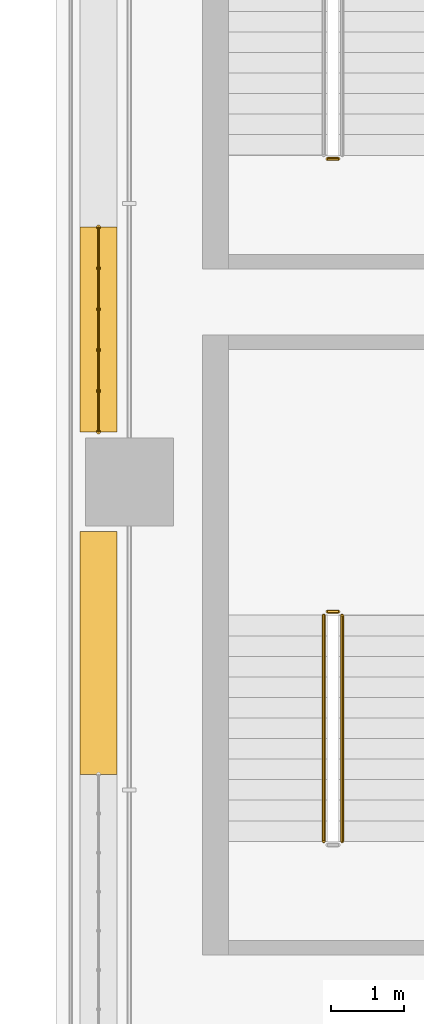
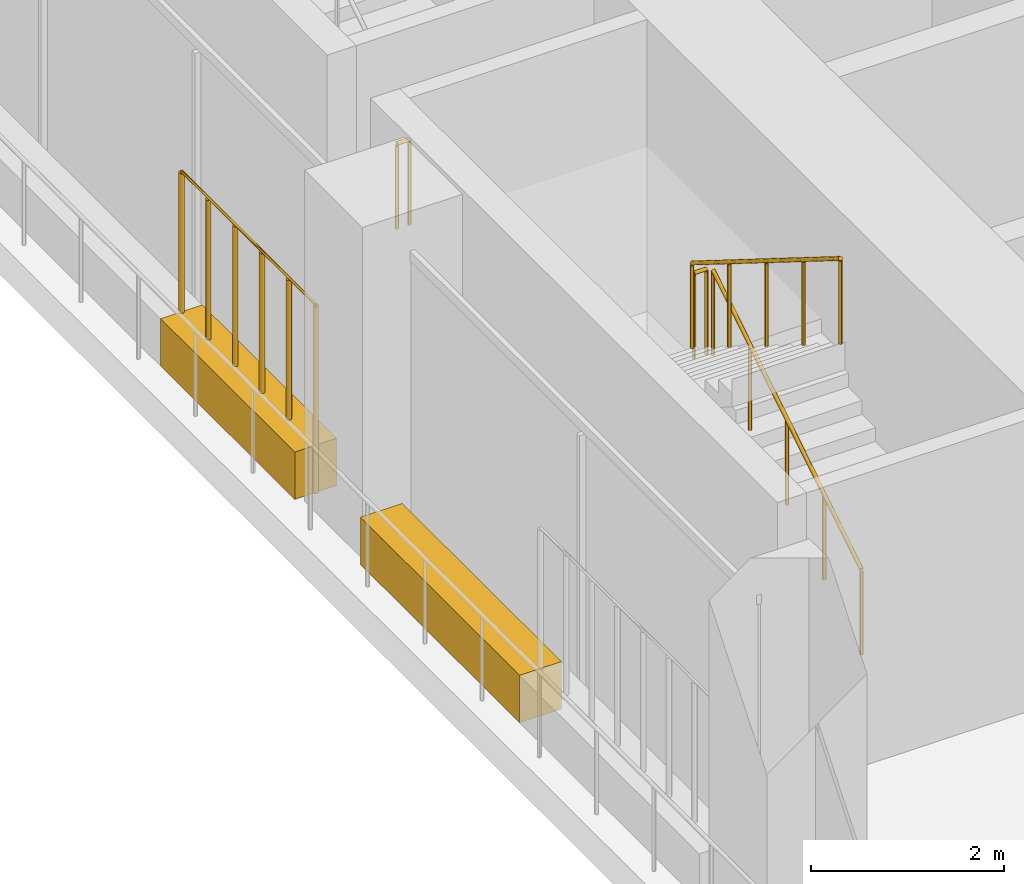
# One storey, part 24 of 28: 5 railings, 2 coverings.
"""IFC4 building model written with IfcOpenShell, lengths in metres."""

from ifc_helpers import new_model, si_unit, direction, frame, origin, origin_2d, place, context, subcontext, project, spatial, rectangle, circle, extrude, material, material_profile, profile_set, type_object, element, save


model = new_model("IFC4")

# Units and contexts
model_context = context("Model", 3, precision=1e-05, world=origin(), true_north=direction((0.0, 1.0)))
body_context = subcontext(model_context, "Body", "Model", "MODEL_VIEW")
ifc_project = project(units=[si_unit("LENGTHUNIT", "METRE"), si_unit("AREAUNIT", "SQUARE_METRE"), si_unit("VOLUMEUNIT", "CUBIC_METRE"), si_unit("PLANEANGLEUNIT", "RADIAN"), si_unit("MASSUNIT", "GRAM", prefix="KILO")], contexts=[model_context])

# Site, building, storey
site_placement = place(None, origin())
site = spatial("IfcSite", under=ifc_project, at=site_placement, CompositionType="ELEMENT")
building_placement = place(site_placement, origin())
building = spatial("IfcBuilding", under=site, at=building_placement, Name="Kawkab Arch Medical Tower", CompositionType="ELEMENT")
storey_placement = place(building_placement, frame((0.0, 0.0, 89.60009765625)))
storey = spatial("IfcBuildingStorey", under=building, at=storey_placement, Name="L20", CompositionType="ELEMENT", Elevation=89.60009765625)

# Coverings
ifc_material_1 = material(Name="Planting soil in a precast trough", Category="concrete")
ifc_material_profile = material_profile(ifc_material_1, rectangle(XDim=0.5, YDim=0.60009765625, at=origin_2d()), Name="Trough 500x600")
ifc_profile_set = profile_set([ifc_material_profile], Name="Planting soil in a precast trough")
covering_type = type_object("IfcCoveringType", Name="Planter trough 500 x 600", PredefinedType="USERDEFINED", material=ifc_profile_set)
covering_1_placement = place(storey_placement, frame((-0.419921875, -20.787109375, 0.2998046875), z_axis=(0.0, 1.0, 0.0), x_axis=(-1.0, 0.0, 0.0)))
element("IfcCovering", 1, at=covering_1_placement, inside=storey, type_object=covering_type, Name="Planter L20.LOG-01-01.14", ObjectType="PLANTER", PredefinedType="USERDEFINED", context=body_context, shape_type="SweptSolid", body=[
    extrude(rectangle(XDim=0.5, YDim=0.60009765625, at=origin_2d()), origin(), (0.0, 0.0, 1.0), 3.30712890625),
])
covering_2_placement = place(storey_placement, frame((-0.419921875, -16.1201171875, 0.2998046875), z_axis=(0.0, 1.0, 0.0), x_axis=(-1.0, 0.0, 0.0)))
element("IfcCovering", 2, at=covering_2_placement, inside=storey, type_object=covering_type, Name="Planter L20.LOG-01-01.15", ObjectType="PLANTER", PredefinedType="USERDEFINED", context=body_context, shape_type="SweptSolid", body=[
    extrude(rectangle(XDim=0.5, YDim=0.60009765625, at=origin_2d()), origin(), (0.0, 0.0, 1.0), 2.7890625),
])

# Railings
ifc_material_2 = material(Name="Bronze anodised aluminium trellis for climbing plants", Category="aluminium")
railing_type_1 = type_object("IfcRailingType", Name="Planting trellis 2400", PredefinedType="USERDEFINED", material=ifc_material_2)
railing_1_placement = place(storey_placement, frame((-0.419921875, -16.1201171875, 0.0)))
element("IfcRailing", 3, at=railing_1_placement, inside=storey, type_object=railing_type_1, Name="Planting trellis L20.LOG-01-01.15", ObjectType="TRELLIS", PredefinedType="USERDEFINED", context=body_context, shape_type="SweptSolid", body=[
    extrude(circle(Radius=0.01513671875, at=origin_2d()), frame((0.0, 0.0, 2.384765625), z_axis=(0.0, 1.0, 0.0), x_axis=(-1.0, 0.0, 0.0)), (0.0, 0.0, 1.0), 2.7890625),
    extrude(circle(Radius=0.030029296875, at=origin_2d()), origin(), (0.0, 0.0, 1.0), 2.369873046875),
    extrude(circle(Radius=0.030029296875, at=origin_2d()), frame((0.0, 0.557861328125, 0.0)), (0.0, 0.0, 1.0), 2.369873046875),
    extrude(circle(Radius=0.030029296875, at=origin_2d()), frame((0.0, 1.11572265625, 0.0)), (0.0, 0.0, 1.0), 2.369873046875),
    extrude(circle(Radius=0.030029296875, at=origin_2d()), frame((0.0, 1.67333984375, 0.0)), (0.0, 0.0, 1.0), 2.369873046875),
    extrude(circle(Radius=0.030029296875, at=origin_2d()), frame((0.0, 2.231201171875, 0.0)), (0.0, 0.0, 1.0), 2.369873046875),
    extrude(circle(Radius=0.030029296875, at=origin_2d()), frame((0.0, 2.7890625, 0.0)), (0.0, 0.0, 1.0), 2.369873046875),
])
ifc_material_3 = material(Name="Stainless steel", Category="steel")
railing_type_2 = type_object("IfcRailingType", Name="Stair guard 1100", PredefinedType="GUARDRAIL", material=ifc_material_3)
railing_2_placement = place(storey_placement, frame((2.85009765625, -12.39990234375, 0.0)))
element("IfcRailing", 4, at=railing_2_placement, inside=storey, type_object=railing_type_2, Name="L20 ST1 stair guard 4", PredefinedType="GUARDRAIL", context=body_context, shape_type="SweptSolid", body=[
    extrude(circle(Radius=0.02392578125, at=origin_2d()), frame((0.0, 0.0, 1.076171875), z_axis=(-1.0, 0.0, 0.0), x_axis=(0.0, -1.0, 0.0)), (0.0, 0.0, 1.0), 0.150146484375),
    extrude(circle(Radius=0.02099609375, at=origin_2d()), origin(), (0.0, 0.0, 1.0), 1.052001953125),
    extrude(circle(Radius=0.02099609375, at=origin_2d()), frame((-0.150146484375, 0.0, 0.0)), (0.0, 0.0, 1.0), 1.052001953125),
])
railing_3_placement = place(storey_placement, frame((2.89990234375, -21.699951171875, 0.1748046875)))
element("IfcRailing", 5, at=railing_3_placement, inside=storey, type_object=railing_type_2, Name="L20 ST2 stair guard 1", PredefinedType="GUARDRAIL", context=body_context, shape_type="SweptSolid", body=[
    extrude(circle(Radius=0.02392578125, at=origin_2d()), frame((0.0, 0.0, 1.076171875), z_axis=(0.0, 0.847979421464, 0.530029150871), x_axis=(-1.0, 0.0, 0.0)), (0.0, 0.0, 1.0), 3.632080078125),
    extrude(circle(Radius=0.02099609375, at=origin_2d()), origin(), (0.0, 0.0, 1.0), 1.052001953125),
    extrude(circle(Radius=0.02099609375, at=origin_2d()), frame((0.0, 0.77001953125, 0.481201171875)), (0.0, 0.0, 1.0), 1.052001953125),
    extrude(circle(Radius=0.02099609375, at=origin_2d()), frame((0.0, 1.5400390625, 0.96240234375)), (0.0, 0.0, 1.0), 1.052001953125),
    extrude(circle(Radius=0.02099609375, at=origin_2d()), frame((0.0, 2.309814453125, 1.44384765625)), (0.0, 0.0, 1.0), 1.052001953125),
    extrude(circle(Radius=0.02099609375, at=origin_2d()), frame((0.0, 3.079833984375, 1.925048828125)), (0.0, 0.0, 1.0), 1.052001953125),
])
railing_4_placement = place(storey_placement, frame((2.85009765625, -18.570068359375, 2.099853515625)))
element("IfcRailing", 6, at=railing_4_placement, inside=storey, type_object=railing_type_2, Name="L20 ST2 stair guard 2", PredefinedType="GUARDRAIL", context=body_context, shape_type="SweptSolid", body=[
    extrude(circle(Radius=0.02392578125, at=origin_2d()), frame((0.0, 0.0, 1.076171875), z_axis=(-1.0, 0.0, 0.0), x_axis=(0.0, -1.0, 0.0)), (0.0, 0.0, 1.0), 0.150146484375),
    extrude(circle(Radius=0.02099609375, at=origin_2d()), origin(), (0.0, 0.0, 1.0), 1.052001953125),
    extrude(circle(Radius=0.02099609375, at=origin_2d()), frame((-0.150146484375, 0.0, 0.0)), (0.0, 0.0, 1.0), 1.052001953125),
])
railing_5_placement = place(storey_placement, frame((2.64990234375, -18.6201171875, 2.27490234375)))
element("IfcRailing", 7, at=railing_5_placement, inside=storey, type_object=railing_type_2, Name="L20 ST2 stair guard 3", PredefinedType="GUARDRAIL", context=body_context, shape_type="SweptSolid", body=[
    extrude(circle(Radius=0.02392578125, at=origin_2d()), frame((0.0, 0.0, 1.076171875), z_axis=(0.0, -0.847979421464, 0.530029150871), x_axis=(1.0, 0.0, 0.0)), (0.0, 0.0, 1.0), 3.632080078125),
    extrude(circle(Radius=0.02099609375, at=origin_2d()), origin(), (0.0, 0.0, 1.0), 1.052001953125),
    extrude(circle(Radius=0.02099609375, at=origin_2d()), frame((0.0, -0.77001953125, 0.481201171875)), (0.0, 0.0, 1.0), 1.052001953125),
    extrude(circle(Radius=0.02099609375, at=origin_2d()), frame((0.0, -1.5400390625, 0.96240234375)), (0.0, 0.0, 1.0), 1.052001953125),
    extrude(circle(Radius=0.02099609375, at=origin_2d()), frame((0.0, -2.309814453125, 1.44384765625)), (0.0, 0.0, 1.0), 1.052001953125),
    extrude(circle(Radius=0.02099609375, at=origin_2d()), frame((0.0, -3.079833984375, 1.925048828125)), (0.0, 0.0, 1.0), 1.052001953125),
])

save(model, "model.ifc")
